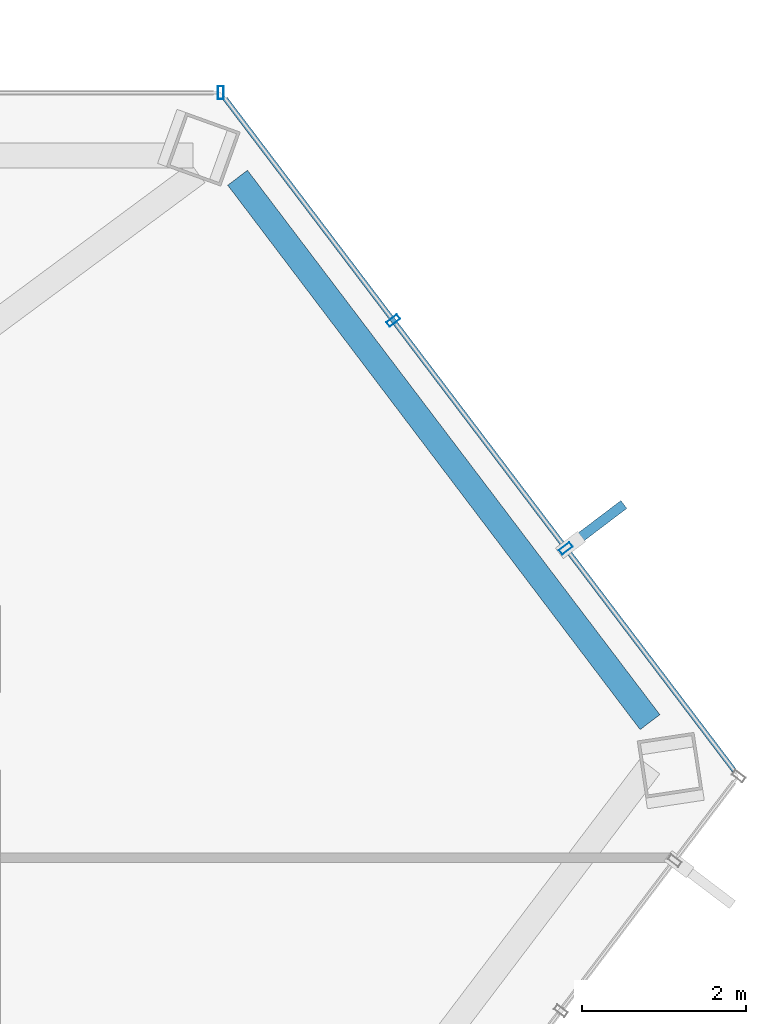
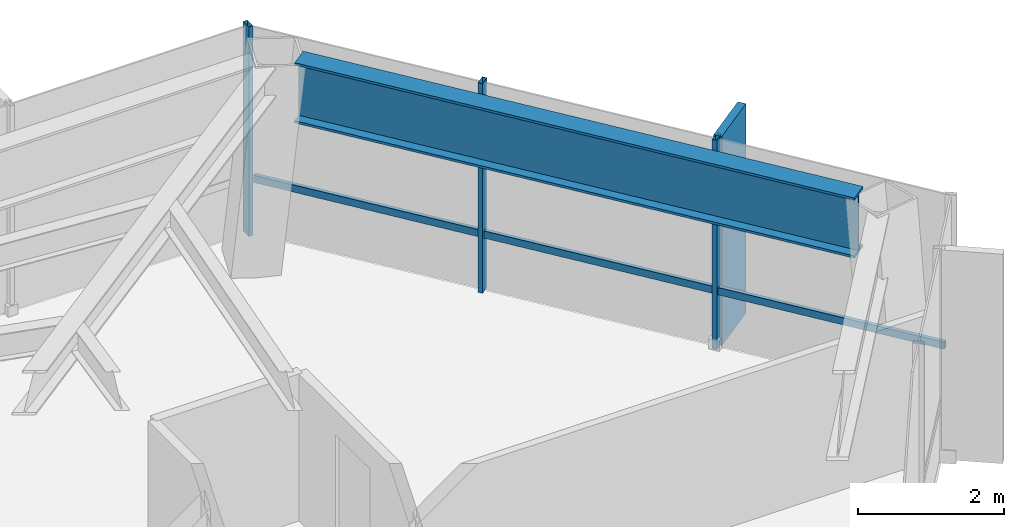
# One storey, part 22 of 27: 5 members, 1 beam, 2 elements without a shape of their own.
"""IFC4 building model written with IfcOpenShell, lengths in metres."""

from ifc_helpers import new_model, si_unit, direction, frame, origin, origin_2d, place, context, subcontext, project, spatial, rectangle, hollow_rectangle, i_section, extrude, material, layer, layer_set, material_profile, profile_set, type_object, element, aggregate, save


model = new_model("IFC4")

# Units and contexts
model_context = context("Model", 3, precision=1e-05, world=origin(), true_north=direction((0.0, 1.0)))
body_context = subcontext(model_context, "Body", "Model", "MODEL_VIEW")
ifc_project = project(units=[si_unit("LENGTHUNIT", "METRE"), si_unit("AREAUNIT", "SQUARE_METRE"), si_unit("VOLUMEUNIT", "CUBIC_METRE"), si_unit("PLANEANGLEUNIT", "RADIAN"), si_unit("MASSUNIT", "GRAM", prefix="KILO")], contexts=[model_context])

# Site, building, storey
site_placement = place(None, origin())
site = spatial("IfcSite", under=ifc_project, at=site_placement, CompositionType="ELEMENT")
building_placement = place(site_placement, origin())
building = spatial("IfcBuilding", under=site, at=building_placement, Name="Zarrinselat Tower", CompositionType="ELEMENT")
storey_placement = place(building_placement, frame((0.0, 0.0, 183.260009765625)))
storey = spatial("IfcBuildingStorey", under=building, at=storey_placement, Name="L45", CompositionType="ELEMENT", Elevation=183.260009765625)

# Beam
ifc_material_1 = material(Name="Steel S460M", Category="steel")
ifc_material_profile_1 = material_profile(ifc_material_1, i_section(OverallWidth=0.302001953125, OverallDepth=1.008056640625, WebThickness=0.02099609375, FlangeThickness=0.0400390625, at=origin_2d()), Name="HEM 1000")
ifc_profile_set_1 = profile_set([ifc_material_profile_1], Name="Steel S460M")
beam_type = type_object("IfcBeamType", Name="BM-HEM1000", PredefinedType="BEAM", material=ifc_profile_set_1)
beam_placement = place(storey_placement, frame((56.964111328125, 47.686279296875, 2.99609375), z_axis=(0.603858818455, -0.797091291744, 0.0), x_axis=(0.797091291744, 0.603858818455, 0.0)))
element("IfcBeam", 1, at=beam_placement, inside=storey, type_object=beam_type, Name="L45 Perimeter Spandrel Girder SP15", PredefinedType="BEAM", context=body_context, shape_type="SweptSolid", body=[
    extrude(i_section(OverallWidth=0.302001953125, OverallDepth=1.008056640625, WebThickness=0.02099609375, FlangeThickness=0.0400390625, at=origin_2d()), origin(), (0.0, 0.0, 1.0), 8.316162109375),
])

# Curtain wall, member
ifc_material_2 = material(Name="Extruded Aluminium Alloy EN AW-6063 T6", Category="aluminium")
ifc_layer = layer(ifc_material_2, 0.175048828125)
ifc_layer_set = layer_set([ifc_layer], Name="Extruded Aluminium Alloy EN AW-6063 T6")
curtain_wall_type = type_object("IfcCurtainWallType", Name="CWS-HTL", PredefinedType="NOTDEFINED", material=ifc_layer_set)
curtain_wall_1_placement = place(storey_placement, origin())
curtain_wall_1 = element("IfcCurtainWall", 2, at=curtain_wall_1_placement, inside=storey, type_object=curtain_wall_type, Name="L45 Unitised Curtain Wall CW-L45-E01", PredefinedType="NOTDEFINED")
ifc_material_3 = material(Name="Extruded Aluminium Alloy EN AW-6063 T6", Category="aluminium")
ifc_material_profile_2 = material_profile(ifc_material_3, hollow_rectangle(XDim=0.070068359375, YDim=0.159912109375, WallThickness=0.00390625, at=origin_2d()), Name="RHS 160x70x4")
ifc_profile_set_2 = profile_set([ifc_material_profile_2], Name="Extruded Aluminium Alloy EN AW-6063 T6")
member_type_1 = type_object("IfcMemberType", Name="MEM-CW-MUL2", PredefinedType="MULLION", material=ifc_profile_set_2)
member_1_placement = place(storey_placement, frame((56.7587890625, 48.72216796875, 0.0), z_axis=(0.0, 0.0, 1.0), x_axis=(-1.0, 0.0, 0.0)))
member_1 = element("IfcMember", 3, at=member_1_placement, type_object=member_type_1, Name="CW-L45-E01 Mullion 0", PredefinedType="MULLION", context=body_context, shape_type="SweptSolid", body=[
    extrude(hollow_rectangle(XDim=0.070068359375, YDim=0.159912109375, WallThickness=0.00390625, at=origin_2d()), origin(), (0.0, 0.0, 1.0), 3.5),
])
aggregate(curtain_wall_1, [member_1])

# Curtain wall, members
curtain_wall_2_placement = place(storey_placement, origin())
curtain_wall_2 = element("IfcCurtainWall", 4, at=curtain_wall_2_placement, inside=storey, type_object=curtain_wall_type, Name="L45 Unitised Curtain Wall CW-L45-E06", PredefinedType="NOTDEFINED")
member_2_placement = place(storey_placement, frame((60.96240234375, 43.17333984375, 0.0), z_axis=(0.0, 0.0, 1.0), x_axis=(-0.603860453729, 0.797090052893, 0.0)))
member_2 = element("IfcMember", 5, at=member_2_placement, type_object=member_type_1, Name="CW-L45-E06 Mullion 1", PredefinedType="MULLION", context=body_context, shape_type="SweptSolid", body=[
    extrude(hollow_rectangle(XDim=0.070068359375, YDim=0.159912109375, WallThickness=0.00390625, at=origin_2d()), origin(), (0.0, 0.0, 1.0), 3.5),
])
member_3_placement = place(storey_placement, frame((58.860595703125, 45.94775390625, 0.0), z_axis=(0.0, 0.0, 1.0), x_axis=(-0.603860453729, 0.797090052893, 0.0)))
member_3 = element("IfcMember", 6, at=member_3_placement, type_object=member_type_1, Name="CW-L45-E06 Mullion 2", PredefinedType="MULLION", context=body_context, shape_type="SweptSolid", body=[
    extrude(hollow_rectangle(XDim=0.070068359375, YDim=0.159912109375, WallThickness=0.00390625, at=origin_2d()), origin(), (0.0, 0.0, 1.0), 3.5),
])
ifc_material_4 = material(Name="Extruded Aluminium Alloy EN AW-6063 T6", Category="aluminium")
ifc_material_profile_3 = material_profile(ifc_material_4, hollow_rectangle(XDim=0.06005859375, YDim=0.1201171875, WallThickness=0.00390625, at=origin_2d()), Name="RHS 120x60x4")
ifc_profile_set_3 = profile_set([ifc_material_profile_3], Name="Extruded Aluminium Alloy EN AW-6063 T6")
member_type_2 = type_object("IfcMemberType", Name="MEM-CW-TRN2", PredefinedType="USERDEFINED", material=ifc_profile_set_3)
member_4_placement = place(storey_placement, frame((63.010009765625, 40.470703125, 0.949951171875), z_axis=(-0.603875551577, 0.797078614823, 0.0), x_axis=(-0.797078614823, -0.603875551577, 0.0)))
member_4 = element("IfcMember", 7, at=member_4_placement, type_object=member_type_2, Name="CW-L45-E06 Transom 1", ObjectType="TRANSOM", PredefinedType="USERDEFINED", context=body_context, shape_type="SweptSolid", body=[
    extrude(hollow_rectangle(XDim=0.06005859375, YDim=0.1201171875, WallThickness=0.00390625, at=origin_2d()), origin(), (0.0, 0.0, 1.0), 10.261962890625),
])
ifc_material_5 = material(Name="Honed Cream Travertine Stone", Category="masonry")
ifc_material_profile_4 = material_profile(ifc_material_5, rectangle(XDim=0.1201171875, YDim=0.85009765625, at=origin_2d()), Name="FIN 850x120")
ifc_profile_set_4 = profile_set([ifc_material_profile_4], Name="Honed Cream Travertine Stone")
member_type_3 = type_object("IfcMemberType", Name="MEM-STONE-FIN", PredefinedType="USERDEFINED", material=ifc_profile_set_4)
member_5_placement = place(storey_placement, frame((61.3291015625, 43.451171875, 0.0), z_axis=(0.0, 0.0, 1.0), x_axis=(0.603860453729, -0.797090052893, 0.0)))
member_5 = element("IfcMember", 8, at=member_5_placement, type_object=member_type_3, Name="L45 Stone Shading Fin CW-L45-E06-01", ObjectType="FIN", PredefinedType="USERDEFINED", context=body_context, shape_type="SweptSolid", body=[
    extrude(rectangle(XDim=0.1201171875, YDim=0.85009765625, at=origin_2d()), origin(), (0.0, 0.0, 1.0), 3.5),
])
aggregate(curtain_wall_2, [member_2, member_5, member_3, member_4])

save(model, "model.ifc")
